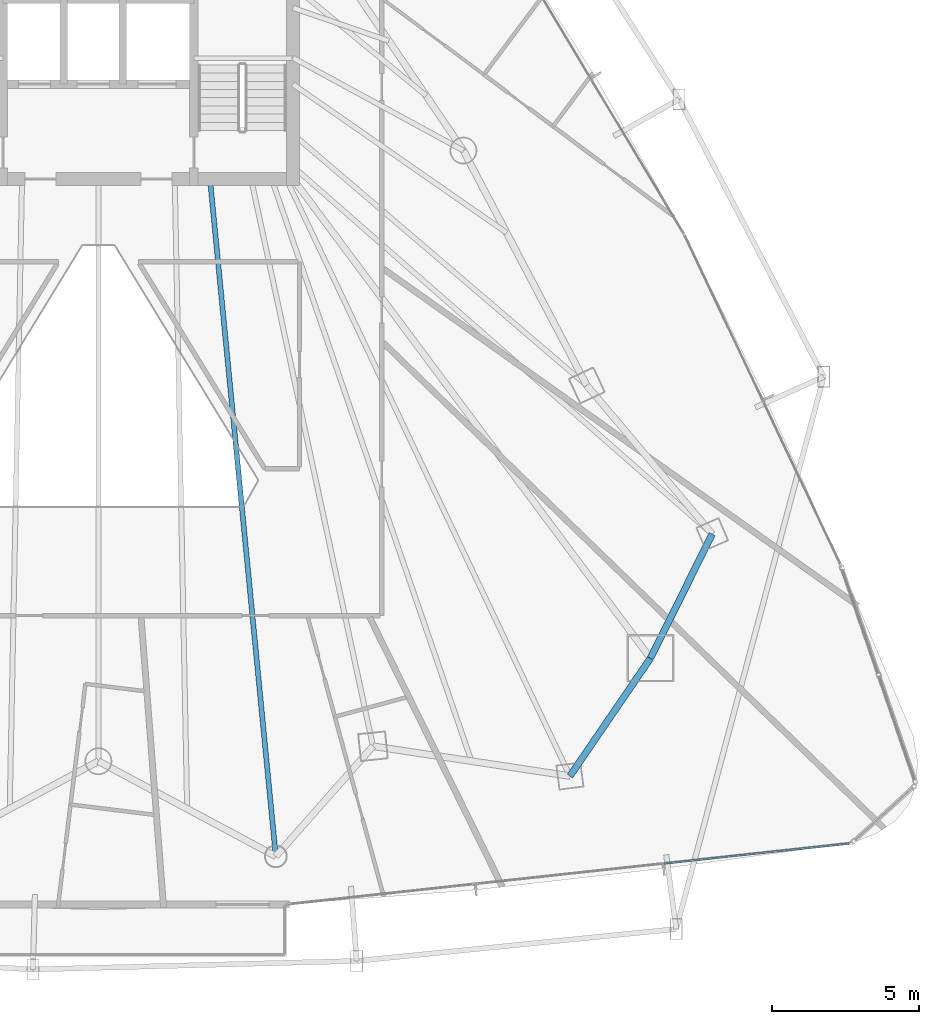
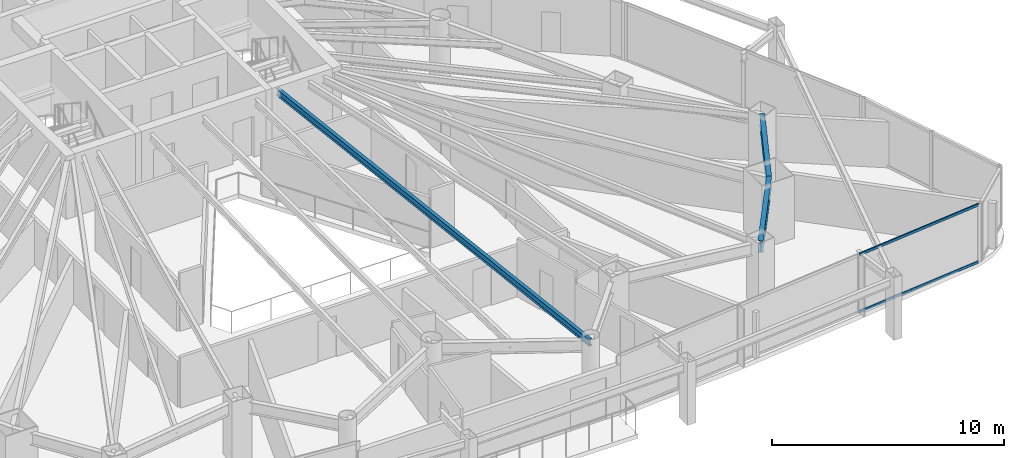
# One storey, part 13 of 34: 3 beams, 2 members, 1 element without a shape of its own.
"""IFC4 building model written with IfcOpenShell, lengths in metres."""

from ifc_helpers import new_model, si_unit, direction, frame, origin, origin_2d, place, context, subcontext, project, spatial, hollow_rectangle, i_section, extrude, material, layer, layer_set, material_profile, profile_set, type_object, element, aggregate, save


model = new_model("IFC4")

# Units and contexts
model_context = context("Model", 3, precision=1e-05, world=origin(), true_north=direction((0.0, 1.0)))
body_context = subcontext(model_context, "Body", "Model", "MODEL_VIEW")
ifc_project = project(units=[si_unit("LENGTHUNIT", "METRE"), si_unit("AREAUNIT", "SQUARE_METRE"), si_unit("VOLUMEUNIT", "CUBIC_METRE"), si_unit("PLANEANGLEUNIT", "RADIAN"), si_unit("MASSUNIT", "GRAM", prefix="KILO")], contexts=[model_context])

# Site, building, storey
site_placement = place(None, origin())
site = spatial("IfcSite", under=ifc_project, at=site_placement, CompositionType="ELEMENT")
building_placement = place(site_placement, origin())
building = spatial("IfcBuilding", under=site, at=building_placement, Name="Orvanel Arch Residences", CompositionType="ELEMENT")
storey_placement = place(building_placement, frame((0.0, 0.0, 67.550048828125)))
storey = spatial("IfcBuildingStorey", under=building, at=storey_placement, Name="L18", CompositionType="ELEMENT", Elevation=67.550048828125)

# Beams
ifc_material_1 = material(Name="Structural steel AS/NZS 3679.1 Grade 300 (300 MPa)", Category="steel")
ifc_material_profile_1 = material_profile(ifc_material_1, i_section(OverallWidth=0.1708984375, OverallDepth=0.35595703125, WebThickness=0.00732421875, FlangeThickness=0.011474609375, at=origin_2d()), Name="360UB50.7")
ifc_profile_set_1 = profile_set([ifc_material_profile_1], Name="Structural steel AS/NZS 3679.1 Grade 300 (300 MPa)")
beam_type_1 = type_object("IfcBeamType", Name="BJ-360UB", PredefinedType="JOIST", material=ifc_profile_set_1)
beam_1_placement = place(storey_placement, frame((36.800048828125, 26.675048828125, 2.8818359375), z_axis=(0.096724091756, -0.995311232768, 0.0), x_axis=(0.995311232768, 0.096724091756, 0.0)))
element("IfcBeam", 1, at=beam_1_placement, inside=storey, type_object=beam_type_1, Name="L18 LSE Wing Floor Joist", PredefinedType="JOIST", context=body_context, shape_type="SweptSolid", body=[
    extrude(i_section(OverallWidth=0.1708984375, OverallDepth=0.35595703125, WebThickness=0.00732421875, FlangeThickness=0.011474609375, at=origin_2d()), origin(), (0.0, 0.0, 1.0), 23.1787109375),
])
ifc_material_profile_2 = material_profile(ifc_material_1, i_section(OverallWidth=0.22900390625, OverallDepth=0.612060546875, WebThickness=0.011962890625, FlangeThickness=0.01953125, at=origin_2d()), Name="610UB125")
ifc_profile_set_2 = profile_set([ifc_material_profile_2], Name="Structural steel AS/NZS 3679.1 Grade 300 (300 MPa)")
beam_type_2 = type_object("IfcBeamType", Name="SP-610UB", PredefinedType="SPANDREL", material=ifc_profile_set_2)
beam_2_placement = place(storey_placement, frame((49.05908203125, 6.339111328125, 2.75390625), z_axis=(0.564251579852, 0.825602903722, 0.0), x_axis=(-0.825602903722, 0.564251579852, 0.0)))
element("IfcBeam", 2, at=beam_2_placement, inside=storey, type_object=beam_type_2, Name="L18 Perimeter Spandrel Beam 10", PredefinedType="SPANDREL", context=body_context, shape_type="SweptSolid", body=[
    extrude(i_section(OverallWidth=0.22900390625, OverallDepth=0.612060546875, WebThickness=0.011962890625, FlangeThickness=0.01953125, at=origin_2d()), origin(), (0.0, 0.0, 1.0), 4.859375),
])
beam_3_placement = place(storey_placement, frame((51.801025390625, 10.35107421875, 2.75390625), z_axis=(0.44543469453, 0.895314432425, 0.0), x_axis=(-0.895314432425, 0.44543469453, 0.0)))
element("IfcBeam", 3, at=beam_3_placement, inside=storey, type_object=beam_type_2, Name="L18 Perimeter Spandrel Beam 11", PredefinedType="SPANDREL", context=body_context, shape_type="SweptSolid", body=[
    extrude(i_section(OverallWidth=0.22900390625, OverallDepth=0.612060546875, WebThickness=0.011962890625, FlangeThickness=0.01953125, at=origin_2d()), origin(), (0.0, 0.0, 1.0), 4.723388671875),
])

# Curtain wall, members
ifc_material_2 = material(Name="Bronze-anodised aluminium AA6063-T6", Category="aluminium")
ifc_layer = layer(ifc_material_2, 0.179931640625)
ifc_layer_set = layer_set([ifc_layer], Name="Bronze-anodised aluminium AA6063-T6")
curtain_wall_type = type_object("IfcCurtainWallType", Name="CW2-LOW-SYS", PredefinedType="NOTDEFINED", material=ifc_layer_set)
curtain_wall_placement = place(storey_placement, origin())
curtain_wall = element("IfcCurtainWall", 4, at=curtain_wall_placement, inside=storey, type_object=curtain_wall_type, Name="L18 CW2-LOW-SYS Unitised Curtain Wall", PredefinedType="NOTDEFINED")
ifc_material_profile_3 = material_profile(ifc_material_2, hollow_rectangle(XDim=0.06005859375, YDim=0.135009765625, WallThickness=0.00390625, at=origin_2d()), Name="ALU135x60x4")
ifc_profile_set_3 = profile_set([ifc_material_profile_3], Name="Bronze-anodised aluminium AA6063-T6")
member_type = type_object("IfcMemberType", Name="TRN-135x60", PredefinedType="USERDEFINED", material=ifc_profile_set_3)
member_1_placement = place(storey_placement, frame((52.26708984375, 3.35986328125, 0.030029296875), z_axis=(0.994172701323, 0.10779907209, 0.0), x_axis=(-0.10779907209, 0.994172701323, 0.0)))
member_1 = element("IfcMember", 5, at=member_1_placement, type_object=member_type, Name="CW-S2 transom 3.1", ObjectType="TRANSOM", PredefinedType="USERDEFINED", context=body_context, shape_type="SweptSolid", body=[
    extrude(hollow_rectangle(XDim=0.06005859375, YDim=0.135009765625, WallThickness=0.00390625, at=origin_2d()), origin(), (0.0, 0.0, 1.0), 6.332275390625),
])
member_2_placement = place(storey_placement, frame((52.26708984375, 3.35986328125, 3.030029296875), z_axis=(0.994172701323, 0.10779907209, 0.0), x_axis=(-0.10779907209, 0.994172701323, 0.0)))
member_2 = element("IfcMember", 6, at=member_2_placement, type_object=member_type, Name="CW-S2 transom 3.2", ObjectType="TRANSOM", PredefinedType="USERDEFINED", context=body_context, shape_type="SweptSolid", body=[
    extrude(hollow_rectangle(XDim=0.06005859375, YDim=0.135009765625, WallThickness=0.00390625, at=origin_2d()), origin(), (0.0, 0.0, 1.0), 6.332275390625),
])
aggregate(curtain_wall, [member_1, member_2])

save(model, "model.ifc")
